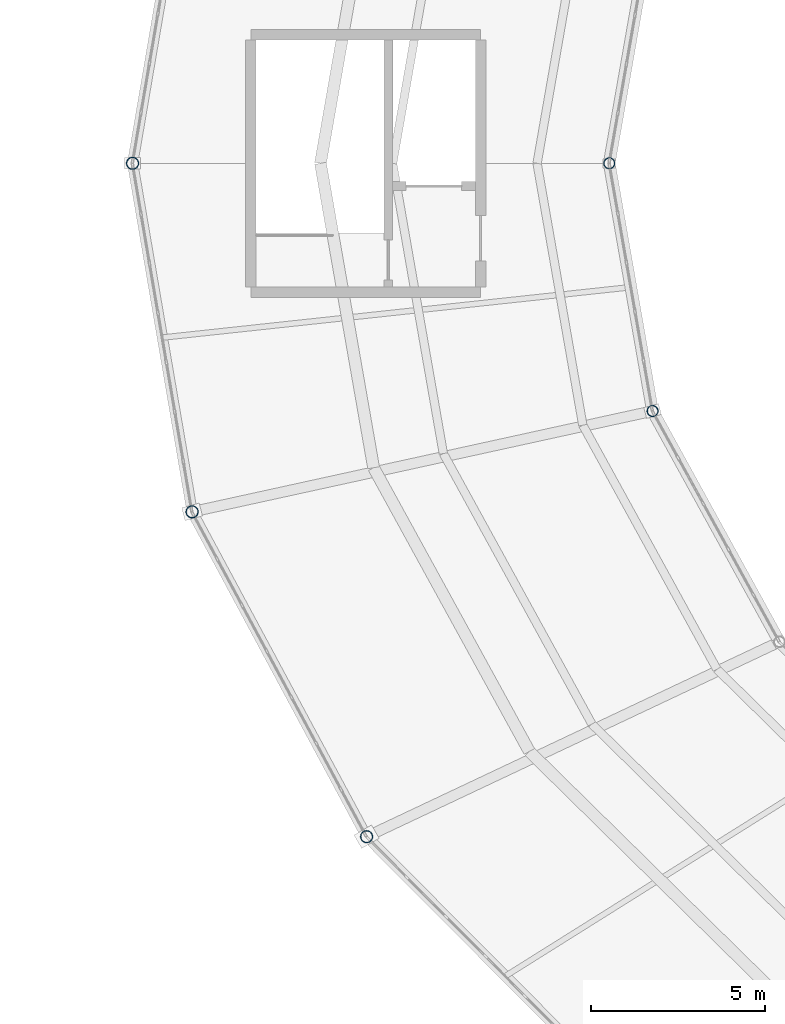
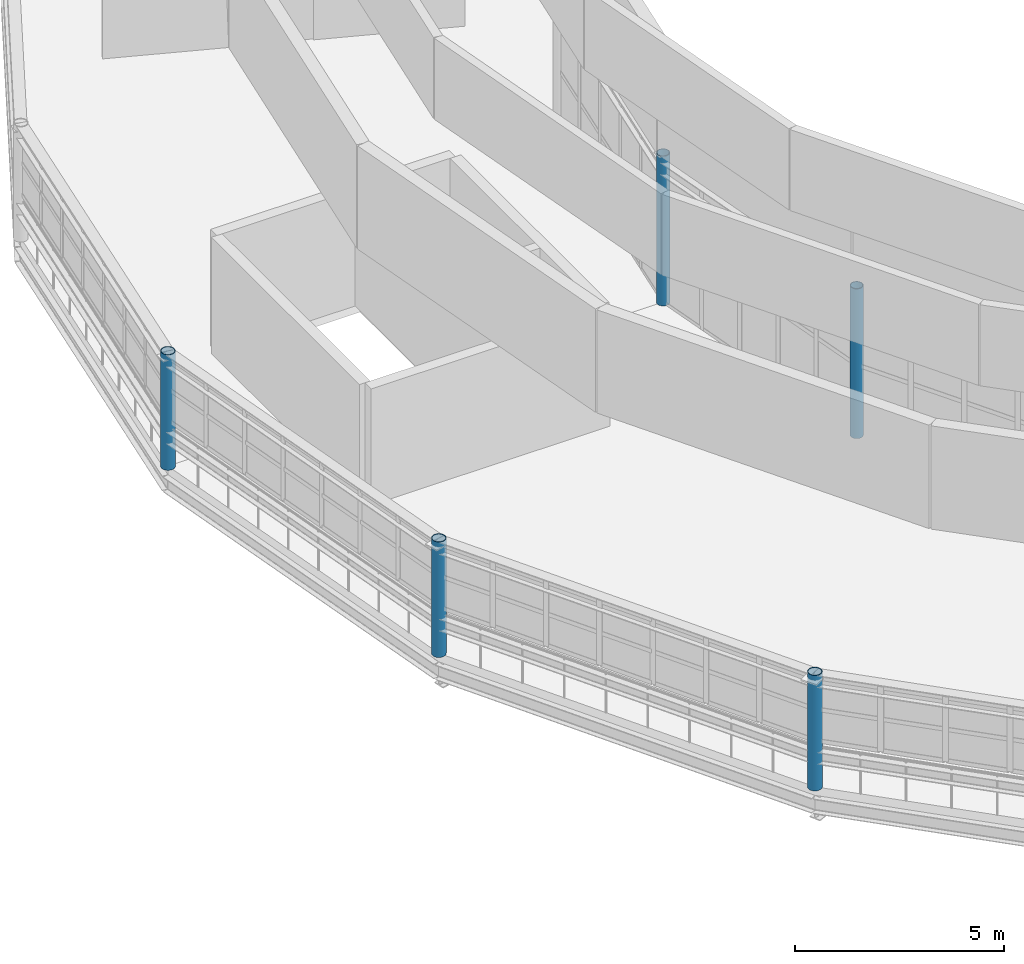
# One storey, part 8 of 123: 5 columns.
"""IFC4 building model written with IfcOpenShell, lengths in metres."""

from ifc_helpers import new_model, si_unit, direction, frame, origin, origin_2d, place, context, subcontext, project, spatial, hollow_circle, extrude, material, material_profile, profile_set, type_object, element, save


model = new_model("IFC4")

# Units and contexts
model_context = context("Model", 3, precision=1e-05, world=origin(), true_north=direction((0.0, 1.0)))
body_context = subcontext(model_context, "Body", "Model", "MODEL_VIEW")
ifc_project = project(units=[si_unit("LENGTHUNIT", "METRE"), si_unit("AREAUNIT", "SQUARE_METRE"), si_unit("VOLUMEUNIT", "CUBIC_METRE"), si_unit("PLANEANGLEUNIT", "RADIAN"), si_unit("MASSUNIT", "GRAM", prefix="KILO")], contexts=[model_context])

# Site, building, storey
site_placement = place(None, origin())
site = spatial("IfcSite", under=ifc_project, at=site_placement, CompositionType="ELEMENT")
building_placement = place(site_placement, origin())
building = spatial("IfcBuilding", under=site, at=building_placement, Name="Kildeholm Park Wholesale Market", CompositionType="ELEMENT")
storey_placement = place(building_placement, frame((0.0, 0.0, 9.60009765625)))
storey = spatial("IfcBuildingStorey", under=building, at=storey_placement, Name="L02", CompositionType="ELEMENT", Elevation=9.60009765625)

# Columns
ifc_material = material(Name="Steel S355", Category="steel")
ifc_material_profile_1 = material_profile(ifc_material, hollow_circle(Radius=0.161865234375, WallThickness=0.01611328125, at=origin_2d()), Name="CHS 323.9x16")
ifc_profile_set_1 = profile_set([ifc_material_profile_1], Name="Steel S355")
column_type_1 = type_object("IfcColumnType", Name="Column C-S09 CHS 323.9x16", PredefinedType="COLUMN", material=ifc_profile_set_1)
for number, where, z_axis, x_axis, name in (
    (1, (62.5, 89.5, 0.0), (0.0, 0.0, 1.0), (-1.0, 0.0, 0.0), "Column V1-IN-12 L02 COL-0111"),
    (2, (63.743896484375, 82.382080078125, 0.0), (0.0, 0.0, 1.0), (-0.965925826289, -0.258819045103, 0.0), "Column V1-IN-13 L02 COL-0120"),
):
    element("IfcColumn", number, at=place(storey_placement, frame(where, z_axis=z_axis, x_axis=x_axis)), inside=storey, type_object=column_type_1, Name=name, PredefinedType="COLUMN", context=body_context, shape_type="SweptSolid", body=[
        extrude(hollow_circle(Radius=0.161865234375, WallThickness=0.01611328125, at=origin_2d()), origin(), (0.0, 0.0, 1.0), 4.3798828125),
    ])
ifc_material_profile_2 = material_profile(ifc_material, hollow_circle(Radius=0.177734375, WallThickness=0.01611328125, at=origin_2d()), Name="CHS 355.6x16")
ifc_profile_set_2 = profile_set([ifc_material_profile_2], Name="Steel S355")
column_type_2 = type_object("IfcColumnType", Name="Column C-S10 CHS 355.6x16", PredefinedType="COLUMN", material=ifc_profile_set_2)
for number, where, z_axis, x_axis, name in (
    (3, (48.800048828125, 89.5, 0.0), (0.0, 0.0, 1.0), (-1.0, 0.0, 0.0), "Column V1-MD-12 L02 COL-0114"),
    (4, (50.510986328125, 79.48388671875, 0.0), (0.0, 0.0, 1.0), (-0.965925826289, -0.258819045103, 0.0), "Column V1-MD-13 L02 COL-0123"),
    (5, (55.52587890625, 70.14990234375, 0.0), (0.0, 0.0, 1.0), (-0.866025403784, -0.5, 0.0), "Column V1-MD-14 L02 COL-0132"),
):
    element("IfcColumn", number, at=place(storey_placement, frame(where, z_axis=z_axis, x_axis=x_axis)), inside=storey, type_object=column_type_2, Name=name, PredefinedType="COLUMN", context=body_context, shape_type="SweptSolid", body=[
        extrude(hollow_circle(Radius=0.177734375, WallThickness=0.01611328125, at=origin_2d()), origin(), (0.0, 0.0, 1.0), 3.3798828125),
    ])

save(model, "model.ifc")
